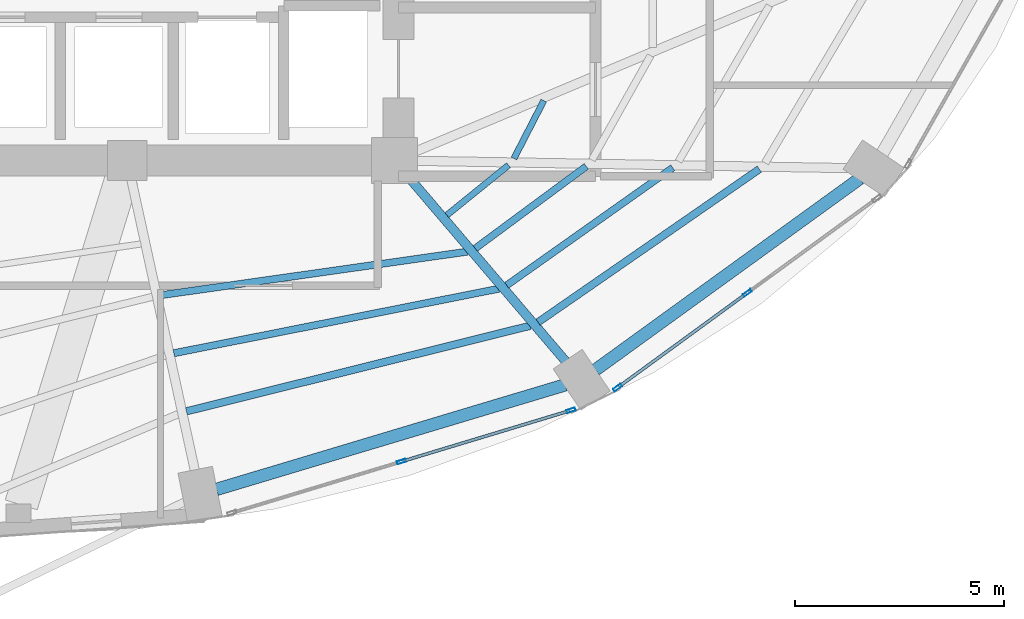
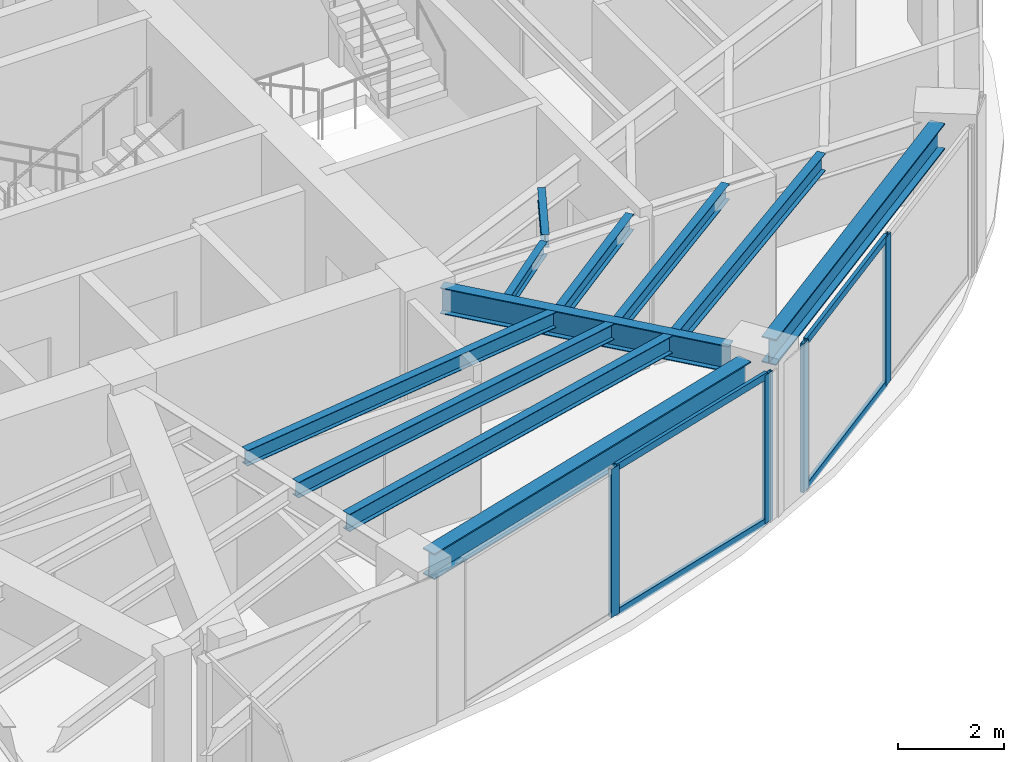
# One storey, part 10 of 24: 11 beams, 8 members, 2 elements without a shape of their own.
"""IFC4 building model written with IfcOpenShell, lengths in metres."""

import ifcopenshell
import ifcopenshell.guid

model = None  # the IFC model being written
_history = None  # IfcOwnerHistory: only IFC2X3 demands one
_inside = {}  # id of a spatial element -> (the spatial element, [elements in it])
_under = {}  # id of a project, library or spatial element -> (it, [spatial elements below it])
_declared = {}  # id of a project -> (the project, [libraries it declares])
_typed = {}  # id of a type object -> (the type object, [elements of that type])
_made_of = {}  # id of a material, layer set ... -> (it, [elements and type objects made of it])


def new_model(schema):
    """Start an empty IFC model of exactly this schema.

    Asked for "IFC4X3", IfcOpenShell would pick the latest addendum, in which some entities
    have other attributes; the version numbers below select the first issue.
    IFC2X3 requires an IfcOwnerHistory on every rooted entity: one is made here for all.
    """
    global model, _history
    if schema == "IFC4X3":
        model = ifcopenshell.file(schema_version=(4, 3, 0, 0))
    else:
        model = ifcopenshell.file(schema=schema)
    _inside.clear()
    _under.clear()
    _declared.clear()
    _typed.clear()
    _made_of.clear()
    _history = None
    if model.schema == "IFC2X3":
        org = make("IfcOrganization", Name="unknown")
        user = make(
            "IfcPersonAndOrganization",
            ThePerson=make("IfcPerson", FamilyName="unknown"),
            TheOrganization=org,
        )
        app = make(
            "IfcApplication",
            ApplicationDeveloper=org,
            Version="unknown",
            ApplicationFullName="unknown",
            ApplicationIdentifier="unknown",
        )
        _history = make(
            "IfcOwnerHistory",
            OwningUser=user,
            OwningApplication=app,
            ChangeAction="ADDED",
            CreationDate=0,
        )
    return model


def make(cls, **values):
    """One entity of the class cls with the attributes given. An attribute that is None is left unset."""
    return model.create_entity(
        cls, **{name: value for name, value in values.items() if value is not None}
    )


def rooted(cls, **values):
    """An entity with a GlobalId (a new one), such as an element, a storey or a relation."""
    return make(cls, GlobalId=ifcopenshell.guid.new(), OwnerHistory=_history, **values)


def si_unit(unit_type, name, prefix=None):
    """IfcSIUnit, for example si_unit("LENGTHUNIT", "METRE", prefix="MILLI")."""
    return make("IfcSIUnit", UnitType=unit_type, Prefix=prefix, Name=name)


def assignment(units):
    """IfcUnitAssignment: the units of a project."""
    return None if units is None else make("IfcUnitAssignment", Units=units)


def point(xyz):
    """IfcCartesianPoint."""
    return None if xyz is None else make("IfcCartesianPoint", Coordinates=xyz)


def direction(xyz):
    """IfcDirection."""
    return None if xyz is None else make("IfcDirection", DirectionRatios=xyz)


def frame(location, z_axis=None, x_axis=None):
    """IfcAxis2Placement3D, a coordinate frame: its origin and axes. An axis left out is left unset."""
    return make(
        "IfcAxis2Placement3D",
        Location=point(location),
        Axis=direction(z_axis),
        RefDirection=direction(x_axis),
    )


def frame_2d(location, x_axis=None):
    """IfcAxis2Placement2D, a coordinate frame in the plane: its origin and x axis."""
    return make(
        "IfcAxis2Placement2D", Location=point(location), RefDirection=direction(x_axis)
    )


def origin():
    """The frame at (0, 0, 0) with its axes left unset."""
    return frame((0.0, 0.0, 0.0))


def origin_2d():
    """The frame at (0, 0) in the plane with its x axis left unset."""
    return frame_2d((0.0, 0.0))


def place(relative_to, where):
    """IfcLocalPlacement: puts the frame where relative to a parent placement (None: the world)."""
    return make(
        "IfcLocalPlacement", PlacementRelTo=relative_to, RelativePlacement=where
    )


def context(
    kind, dimensions, precision=None, world=None, true_north=None, identifier=None
):
    """IfcGeometricRepresentationContext, for example the 3D "Model" context."""
    return make(
        "IfcGeometricRepresentationContext",
        ContextIdentifier=identifier,
        ContextType=kind,
        CoordinateSpaceDimension=dimensions,
        Precision=precision,
        WorldCoordinateSystem=world,
        TrueNorth=true_north,
    )


def subcontext(parent, identifier, kind, view, scale=None):
    """IfcGeometricRepresentationSubContext, for example "Body" below "Model"."""
    return make(
        "IfcGeometricRepresentationSubContext",
        ContextIdentifier=identifier,
        ContextType=kind,
        ParentContext=parent,
        TargetScale=scale,
        TargetView=view,
    )


def project(units=None, contexts=None):
    """IfcProject with its units and contexts."""
    return rooted(
        "IfcProject",
        Name="project",
        RepresentationContexts=contexts,
        UnitsInContext=assignment(units),
    )


def spatial(cls, under=None, at=None, **own):
    """A site, building, storey or space (cls), placed at a placement, below another one or the project."""
    s = rooted(cls, ObjectPlacement=at, **own)
    if under is not None:
        _under.setdefault(under.id(), (under, []))[1].append(s)
    return s


def profile(cls, at=None, kind="AREA", **sizes):
    """A parametric profile (cls). Its sizes go by their IFC names, for example OverallWidth=200.0."""
    return make(cls, ProfileType=kind, Position=at, **sizes)


def hollow_rectangle(**sizes):
    """IfcRectangleHollowProfileDef."""
    return profile("IfcRectangleHollowProfileDef", **sizes)


def i_section(**sizes):
    """IfcIShapeProfileDef."""
    return profile("IfcIShapeProfileDef", **sizes)


def extrude(swept, where, along, depth):
    """IfcExtrudedAreaSolid: the profile swept, set in the frame where, extruded along a direction by depth."""
    return make(
        "IfcExtrudedAreaSolid",
        SweptArea=swept,
        Position=where,
        ExtrudedDirection=direction(along),
        Depth=depth,
    )


def shape(context_of_items, identifier, shape_type, items):
    """IfcShapeRepresentation: the items that make up one representation, for example the "Body"."""
    return make(
        "IfcShapeRepresentation",
        ContextOfItems=context_of_items,
        RepresentationIdentifier=identifier,
        RepresentationType=shape_type,
        Items=items,
    )


def material(Name=None, Category=None):
    """IfcMaterial."""
    return make("IfcMaterial", Name=Name, Category=Category)


def layer(
    of_material, thickness, ventilated=None, Name=None, Category=None, Priority=None
):
    """IfcMaterialLayer: one layer of a wall or slab, of a material (None: an air gap)."""
    return make(
        "IfcMaterialLayer",
        Material=of_material,
        LayerThickness=thickness,
        IsVentilated=ventilated,
        Name=Name,
        Category=Category,
        Priority=Priority,
    )


def layer_set(layers, Name=None):
    """IfcMaterialLayerSet."""
    return make("IfcMaterialLayerSet", MaterialLayers=layers, LayerSetName=Name)


def material_profile(
    of_material, cross_section, Name=None, Category=None, Priority=None
):
    """IfcMaterialProfile: a cross section and its material."""
    return make(
        "IfcMaterialProfile",
        Name=Name,
        Material=of_material,
        Profile=cross_section,
        Priority=Priority,
        Category=Category,
    )


def profile_set(profiles, Name=None, composite=None):
    """IfcMaterialProfileSet."""
    return make(
        "IfcMaterialProfileSet",
        Name=Name,
        MaterialProfiles=profiles,
        CompositeProfile=composite,
    )


def made_of(thing, what):
    """Note that an element or type object is made of a material, layer set ...; save() writes the relation."""
    if what is not None:
        _made_of.setdefault(what.id(), (what, []))[1].append(thing)
    return thing


def type_object(cls, material=None, **own):
    """A type object (cls), such as IfcWallType, which elements share."""
    return made_of(rooted(cls, **own), material)


def element(
    cls,
    number,
    at=None,
    inside=None,
    cuts=None,
    type_object=None,
    material=None,
    context=None,
    identifier="Body",
    shape_type=None,
    held_by="IfcProductDefinitionShape",
    body=None,
    shapes=None,
    **own,
):
    """One element of the class cls, such as IfcWall. Its Tag is "e" and its number.

    at: its placement. inside: the storey or other place that contains it. cuts: it is an
    opening in that element (IfcRelVoidsElement). A single representation is given by context,
    identifier, shape_type and body (its items); several are given by shapes. held_by: the class
    of the entity that holds the representations. save() writes the other relations.
    """
    e = rooted(cls, Tag="e%d" % number, ObjectPlacement=at, **own)
    if body is not None:
        shapes = [shape(context, identifier, shape_type, body)]
    if shapes is not None:
        e.Representation = make(held_by, Representations=shapes)
    if inside is not None:
        _inside.setdefault(inside.id(), (inside, []))[1].append(e)
    if cuts is not None:
        rooted(
            "IfcRelVoidsElement", RelatingBuildingElement=cuts, RelatedOpeningElement=e
        )
    if type_object is not None:
        _typed.setdefault(type_object.id(), (type_object, []))[1].append(e)
    return made_of(e, material)


def aggregate(whole, parts):
    """IfcRelAggregates: a whole, such as a stair, and the parts it consists of."""
    return rooted("IfcRelAggregates", RelatingObject=whole, RelatedObjects=parts)


def save(model, path):
    """Write the relations noted so far, then the file.

    IfcRelAggregates (storeys below a building ...), IfcRelContainedInSpatialStructure (elements
    in a storey), IfcRelDefinesByType, IfcRelAssociatesMaterial and IfcRelDeclares: one each for
    every whole, place, type object, material and project.
    """
    for whole, parts in _under.values():
        aggregate(whole, parts)
    for where, things in _inside.values():
        rooted(
            "IfcRelContainedInSpatialStructure",
            RelatedElements=things,
            RelatingStructure=where,
        )
    for kind, things in _typed.values():
        rooted("IfcRelDefinesByType", RelatedObjects=things, RelatingType=kind)
    for what, things in _made_of.values():
        rooted("IfcRelAssociatesMaterial", RelatedObjects=things, RelatingMaterial=what)
    for by, libraries in _declared.values():
        rooted("IfcRelDeclares", RelatingContext=by, RelatedDefinitions=libraries)
    model.write(path)


model = new_model("IFC4")

# Units and contexts
model_context = context("Model", 3, precision=1e-05, world=origin(), true_north=direction((0.0, 1.0)))
body_context = subcontext(model_context, "Body", "Model", "MODEL_VIEW")
ifc_project = project(units=[si_unit("LENGTHUNIT", "METRE"), si_unit("AREAUNIT", "SQUARE_METRE"), si_unit("VOLUMEUNIT", "CUBIC_METRE"), si_unit("PLANEANGLEUNIT", "RADIAN"), si_unit("MASSUNIT", "GRAM", prefix="KILO")], contexts=[model_context])

# Site, building, storey
site_placement = place(None, origin())
site = spatial("IfcSite", under=ifc_project, at=site_placement, CompositionType="ELEMENT")
building_placement = place(site_placement, origin())
building = spatial("IfcBuilding", under=site, at=building_placement, Name="Lazwardi Medical Tower", CompositionType="ELEMENT")
storey_placement = place(building_placement, frame((0.0, 0.0, 103.632080078125)))
storey = spatial("IfcBuildingStorey", under=building, at=storey_placement, Name="L26", CompositionType="ELEMENT", Elevation=103.632080078125)

# Beams
ifc_material_1 = material(Name="Steel S355", Category="steel")
ifc_material_profile_1 = material_profile(ifc_material_1, i_section(OverallWidth=0.300048828125, OverallDepth=0.60009765625, WebThickness=0.015380859375, FlangeThickness=0.030029296875, at=origin_2d()), Name="HEB 600")
ifc_profile_set_1 = profile_set([ifc_material_profile_1], Name="Steel S355")
beam_type_1 = type_object("IfcBeamType", Name="BM-RB-Z2", PredefinedType="BEAM", material=ifc_profile_set_1)
beam_1_placement = place(storey_placement, frame((41.338134765625, 12.5205078125, 3.1279296875), z_axis=(0.957879438442, 0.287170648587, 0.0), x_axis=(-0.287170648587, 0.957879438442, 0.0)))
element("IfcBeam", 1, at=beam_1_placement, inside=storey, type_object=beam_type_1, Name="Ring beam RB-03 B01 L26", PredefinedType="BEAM", context=body_context, shape_type="SweptSolid", body=[
    extrude(i_section(OverallWidth=0.300048828125, OverallDepth=0.60009765625, WebThickness=0.015380859375, FlangeThickness=0.030029296875, at=origin_2d()), origin(), (0.0, 0.0, 1.0), 8.719970703125),
])
beam_2_placement = place(storey_placement, frame((50.415771484375, 15.3828125, 3.1279296875), z_axis=(0.810041907649, 0.586371987609, 0.0), x_axis=(-0.586371987609, 0.810041907649, 0.0)))
element("IfcBeam", 2, at=beam_2_placement, inside=storey, type_object=beam_type_1, Name="Ring beam RB-03 B02 L26", PredefinedType="BEAM", context=body_context, shape_type="SweptSolid", body=[
    extrude(i_section(OverallWidth=0.300048828125, OverallDepth=0.60009765625, WebThickness=0.015380859375, FlangeThickness=0.030029296875, at=origin_2d()), origin(), (0.0, 0.0, 1.0), 7.814208984375),
])
ifc_material_profile_2 = material_profile(ifc_material_1, i_section(OverallWidth=0.219970703125, OverallDepth=0.60009765625, WebThickness=0.011962890625, FlangeThickness=0.01904296875, at=origin_2d()), Name="IPE 600")
ifc_profile_set_2 = profile_set([ifc_material_profile_2], Name="Steel S355")
beam_type_2 = type_object("IfcBeamType", Name="BM-RG-W1", PredefinedType="BEAM", material=ifc_profile_set_2)
beam_3_placement = place(storey_placement, frame((49.707275390625, 15.583740234375, 3.1279296875), z_axis=(-0.648870567436, 0.760898801889, 0.0), x_axis=(-0.760898801889, -0.648870567436, 0.0)))
element("IfcBeam", 3, at=beam_3_placement, inside=storey, type_object=beam_type_2, Name="Radial girder RG-02 R02 L26", PredefinedType="BEAM", context=body_context, shape_type="SweptSolid", body=[
    extrude(i_section(OverallWidth=0.219970703125, OverallDepth=0.60009765625, WebThickness=0.011962890625, FlangeThickness=0.01904296875, at=origin_2d()), origin(), (0.0, 0.0, 1.0), 5.794677734375),
])
ifc_material_profile_3 = material_profile(ifc_material_1, i_section(OverallWidth=0.179931640625, OverallDepth=0.39990234375, WebThickness=0.008544921875, FlangeThickness=0.013427734375, at=origin_2d()), Name="IPE 400")
ifc_profile_set_3 = profile_set([ifc_material_profile_3], Name="Steel S355")
beam_type_3 = type_object("IfcBeamType", Name="BM-SJ-01", PredefinedType="JOIST", material=ifc_profile_set_3)
beam_4_placement = place(storey_placement, frame((40.618896484375, 14.390869140625, 3.22802734375), z_axis=(0.970400881943, 0.241499748081, 0.0), x_axis=(-0.241499748081, 0.970400881943, 0.0)))
element("IfcBeam", 4, at=beam_4_placement, inside=storey, type_object=beam_type_3, Name="Secondary joist SJ-01 R1 B01 L26", PredefinedType="JOIST", context=body_context, shape_type="SweptSolid", body=[
    extrude(i_section(OverallWidth=0.179931640625, OverallDepth=0.39990234375, WebThickness=0.008544921875, FlangeThickness=0.013427734375, at=origin_2d()), origin(), (0.0, 0.0, 1.0), 8.48583984375),
])
beam_5_placement = place(storey_placement, frame((49.04150390625, 16.525390625, 3.22802734375), z_axis=(0.822376339068, 0.568943896128, 0.0), x_axis=(-0.568943896128, 0.822376339068, 0.0)))
element("IfcBeam", 5, at=beam_5_placement, inside=storey, type_object=beam_type_3, Name="Secondary joist SJ-01 R1 B02 L26", PredefinedType="JOIST", context=body_context, shape_type="SweptSolid", body=[
    extrude(i_section(OverallWidth=0.179931640625, OverallDepth=0.39990234375, WebThickness=0.008544921875, FlangeThickness=0.013427734375, at=origin_2d()), origin(), (0.0, 0.0, 1.0), 6.44189453125),
])
ifc_material_profile_4 = material_profile(ifc_material_1, i_section(OverallWidth=0.169921875, OverallDepth=0.360107421875, WebThickness=0.008056640625, FlangeThickness=0.0126953125, at=origin_2d()), Name="IPE 360")
ifc_profile_set_4 = profile_set([ifc_material_profile_4], Name="Steel S355")
beam_type_4 = type_object("IfcBeamType", Name="BM-SJ-02", PredefinedType="JOIST", material=ifc_profile_set_4)
beam_6_placement = place(storey_placement, frame((40.315185546875, 15.7822265625, 3.247802734375), z_axis=(0.980878853282, 0.194619308352, 0.0), x_axis=(-0.194619308352, 0.980878853282, 0.0)))
element("IfcBeam", 6, at=beam_6_placement, inside=storey, type_object=beam_type_4, Name="Secondary joist SJ-02 R2 B01 L26", PredefinedType="JOIST", context=body_context, shape_type="SweptSolid", body=[
    extrude(i_section(OverallWidth=0.169921875, OverallDepth=0.360107421875, WebThickness=0.008056640625, FlangeThickness=0.0126953125, at=origin_2d()), origin(), (0.0, 0.0, 1.0), 7.93701171875),
])
beam_7_placement = place(storey_placement, frame((48.2890625, 17.408203125, 3.247802734375), z_axis=(0.816156371539, 0.577831097464, 0.0), x_axis=(-0.577831097464, 0.816156371539, 0.0)))
element("IfcBeam", 7, at=beam_7_placement, inside=storey, type_object=beam_type_4, Name="Secondary joist SJ-02 R2 B02 L26", PredefinedType="JOIST", context=body_context, shape_type="SweptSolid", body=[
    extrude(i_section(OverallWidth=0.169921875, OverallDepth=0.360107421875, WebThickness=0.008056640625, FlangeThickness=0.0126953125, at=origin_2d()), origin(), (0.0, 0.0, 1.0), 4.8740234375),
])
beam_8_placement = place(storey_placement, frame((40.011474609375, 17.1728515625, 3.247802734375), z_axis=(0.990067108571, 0.140595592128, 0.0), x_axis=(-0.140595592128, 0.990067108571, 0.0)))
element("IfcBeam", 8, at=beam_8_placement, inside=storey, type_object=beam_type_4, Name="Secondary joist SJ-02 R3 B01 L26", PredefinedType="JOIST", context=body_context, shape_type="SweptSolid", body=[
    extrude(i_section(OverallWidth=0.169921875, OverallDepth=0.360107421875, WebThickness=0.008056640625, FlangeThickness=0.0126953125, at=origin_2d()), origin(), (0.0, 0.0, 1.0), 7.409423828125),
])
beam_9_placement = place(storey_placement, frame((47.53564453125, 18.291748046875, 3.247802734375), z_axis=(0.804125525058, 0.594459536008, 0.0), x_axis=(-0.594459536008, 0.804125525058, 0.0)))
element("IfcBeam", 9, at=beam_9_placement, inside=storey, type_object=beam_type_4, Name="Secondary joist SJ-02 R3 B02 L26", PredefinedType="JOIST", context=body_context, shape_type="SweptSolid", body=[
    extrude(i_section(OverallWidth=0.169921875, OverallDepth=0.360107421875, WebThickness=0.008056640625, FlangeThickness=0.0126953125, at=origin_2d()), origin(), (0.0, 0.0, 1.0), 3.30810546875),
])
ifc_material_profile_5 = material_profile(ifc_material_1, i_section(OverallWidth=0.14990234375, OverallDepth=0.300048828125, WebThickness=0.007080078125, FlangeThickness=0.0107421875, at=origin_2d()), Name="IPE 300")
ifc_profile_set_5 = profile_set([ifc_material_profile_5], Name="Steel S355")
beam_type_5 = type_object("IfcBeamType", Name="BM-SJ-03", PredefinedType="JOIST", material=ifc_profile_set_5)
beam_10_placement = place(storey_placement, frame((46.85595703125, 19.089111328125, 3.27783203125), z_axis=(0.77695773322, 0.629552762515, 0.0), x_axis=(-0.629552762515, 0.77695773322, 0.0)))
element("IfcBeam", 10, at=beam_10_placement, inside=storey, type_object=beam_type_5, Name="Secondary joist SJ-03 R4 B02 L26", PredefinedType="JOIST", context=body_context, shape_type="SweptSolid", body=[
    extrude(i_section(OverallWidth=0.14990234375, OverallDepth=0.300048828125, WebThickness=0.007080078125, FlangeThickness=0.0107421875, at=origin_2d()), origin(), (0.0, 0.0, 1.0), 1.9013671875),
])
beam_11_placement = place(storey_placement, frame((48.462890625, 20.445556640625, 3.27783203125), z_axis=(0.457956589674, 0.888974556427, 0.0), x_axis=(-0.888974556427, 0.457956589674, 0.0)))
element("IfcBeam", 11, at=beam_11_placement, inside=storey, type_object=beam_type_5, Name="Secondary joist SJ-03 R4 B03 L26", PredefinedType="JOIST", context=body_context, shape_type="SweptSolid", body=[
    extrude(i_section(OverallWidth=0.14990234375, OverallDepth=0.300048828125, WebThickness=0.007080078125, FlangeThickness=0.0107421875, at=origin_2d()), origin(), (0.0, 0.0, 1.0), 1.558837890625),
])

# Curtain wall, members
ifc_material_2 = material(Name="Anodised bronze aluminium and solar control glazing", Category="aluminium")
ifc_layer = layer(ifc_material_2, 0.195068359375)
ifc_layer_set = layer_set([ifc_layer], Name="Anodised bronze aluminium and solar control glazing")
curtain_wall_type = type_object("IfcCurtainWallType", Name="CW-SYS-03", PredefinedType="NOTDEFINED", material=ifc_layer_set)
curtain_wall_1_placement = place(storey_placement, origin())
curtain_wall_1 = element("IfcCurtainWall", 12, at=curtain_wall_1_placement, inside=storey, type_object=curtain_wall_type, Name="L26 Unitised bronze curtain wall CW-03", PredefinedType="NOTDEFINED")
ifc_material_3 = material(Name="Anodised bronze aluminium", Category="aluminium")
ifc_material_profile_6 = material_profile(ifc_material_3, hollow_rectangle(XDim=0.074951171875, YDim=0.219970703125, WallThickness=0.00390625, at=origin_2d()), Name="ALU-MULLION 220x75x4")
ifc_profile_set_6 = profile_set([ifc_material_profile_6], Name="Anodised bronze aluminium")
member_type_1 = type_object("IfcMemberType", Name="CW-MUL-01", PredefinedType="MULLION", material=ifc_profile_set_6)
member_1_placement = place(storey_placement, frame((45.769287109375, 13.18701171875, 0.0), z_axis=(0.0, 0.0, 1.0), x_axis=(-0.28937381157, 0.957216170558, 0.0)))
member_1 = element("IfcMember", 13, at=member_1_placement, type_object=member_type_1, Name="CW-03 mullion 2", PredefinedType="MULLION", context=body_context, shape_type="SweptSolid", body=[
    extrude(hollow_rectangle(XDim=0.074951171875, YDim=0.219970703125, WallThickness=0.00390625, at=origin_2d()), origin(), (0.0, 0.0, 1.0), 3.427978515625),
])
member_2_placement = place(storey_placement, frame((49.828369140625, 14.4140625, 0.0), z_axis=(0.0, 0.0, 1.0), x_axis=(-0.28937381157, 0.957216170558, 0.0)))
member_2 = element("IfcMember", 14, at=member_2_placement, type_object=member_type_1, Name="CW-03 mullion 3", PredefinedType="MULLION", context=body_context, shape_type="SweptSolid", body=[
    extrude(hollow_rectangle(XDim=0.074951171875, YDim=0.219970703125, WallThickness=0.00390625, at=origin_2d()), origin(), (0.0, 0.0, 1.0), 3.427978515625),
])

curtain_wall_2_placement = place(storey_placement, origin())
curtain_wall_2 = element("IfcCurtainWall", 15, at=curtain_wall_2_placement, inside=storey, type_object=curtain_wall_type, Name="L26 Unitised bronze curtain wall CW-03", PredefinedType="NOTDEFINED")
member_3_placement = place(storey_placement, frame((50.947265625, 14.96044921875, 0.0), z_axis=(0.0, 0.0, 1.0), x_axis=(-0.589530882802, 0.807745837639, 0.0)))
member_3 = element("IfcMember", 16, at=member_3_placement, type_object=member_type_1, Name="CW-03 mullion 1", PredefinedType="MULLION", context=body_context, shape_type="SweptSolid", body=[
    extrude(hollow_rectangle(XDim=0.074951171875, YDim=0.219970703125, WallThickness=0.00390625, at=origin_2d()), origin(), (0.0, 0.0, 1.0), 3.427978515625),
])
member_4_placement = place(storey_placement, frame((54.051025390625, 17.225830078125, 0.0), z_axis=(0.0, 0.0, 1.0), x_axis=(-0.589530882802, 0.807745837639, 0.0)))
member_4 = element("IfcMember", 17, at=member_4_placement, type_object=member_type_1, Name="CW-03 mullion 2", PredefinedType="MULLION", context=body_context, shape_type="SweptSolid", body=[
    extrude(hollow_rectangle(XDim=0.074951171875, YDim=0.219970703125, WallThickness=0.00390625, at=origin_2d()), origin(), (0.0, 0.0, 1.0), 3.427978515625),
])

# Member
ifc_material_profile_7 = material_profile(ifc_material_3, hollow_rectangle(XDim=0.074951171875, YDim=0.159912109375, WallThickness=0.00390625, at=origin_2d()), Name="ALU-TRANSOM 160x75x4")
ifc_profile_set_7 = profile_set([ifc_material_profile_7], Name="Anodised bronze aluminium")
member_type_2 = type_object("IfcMemberType", Name="CW-TRN-01", PredefinedType="USERDEFINED", material=ifc_profile_set_7)
member_5_placement = place(storey_placement, frame((45.80517578125, 13.19775390625, 0.037353515625), z_axis=(0.957220865985, 0.289358279168, 0.0), x_axis=(-0.289358279168, 0.957220865985, 0.0)))
member_5 = element("IfcMember", 18, at=member_5_placement, type_object=member_type_2, Name="CW-03 transom 2.1", ObjectType="TRANSOM", PredefinedType="USERDEFINED", context=body_context, shape_type="SweptSolid", body=[
    extrude(hollow_rectangle(XDim=0.074951171875, YDim=0.159912109375, WallThickness=0.00390625, at=origin_2d()), origin(), (0.0, 0.0, 1.0), 4.16552734375),
])

member_6_placement = place(storey_placement, frame((45.80517578125, 13.19775390625, 3.390380859375), z_axis=(0.957220865985, 0.289358279168, 0.0), x_axis=(-0.289358279168, 0.957220865985, 0.0)))
member_6 = element("IfcMember", 19, at=member_6_placement, type_object=member_type_2, Name="CW-03 transom 2.2", ObjectType="TRANSOM", PredefinedType="USERDEFINED", context=body_context, shape_type="SweptSolid", body=[
    extrude(hollow_rectangle(XDim=0.074951171875, YDim=0.159912109375, WallThickness=0.00390625, at=origin_2d()), origin(), (0.0, 0.0, 1.0), 4.16552734375),
])

aggregate(curtain_wall_1, [member_1, member_2, member_5, member_6])

member_7_placement = place(storey_placement, frame((50.9775390625, 14.982421875, 0.037353515625), z_axis=(0.807731734271, 0.589550206049, 0.0), x_axis=(-0.589550206049, 0.807731734271, 0.0)))
member_7 = element("IfcMember", 20, at=member_7_placement, type_object=member_type_2, Name="CW-03 transom 1.1", ObjectType="TRANSOM", PredefinedType="USERDEFINED", context=body_context, shape_type="SweptSolid", body=[
    extrude(hollow_rectangle(XDim=0.074951171875, YDim=0.159912109375, WallThickness=0.00390625, at=origin_2d()), origin(), (0.0, 0.0, 1.0), 3.767578125),
])

member_8_placement = place(storey_placement, frame((50.9775390625, 14.982421875, 3.390380859375), z_axis=(0.807731734271, 0.589550206049, 0.0), x_axis=(-0.589550206049, 0.807731734271, 0.0)))
member_8 = element("IfcMember", 21, at=member_8_placement, type_object=member_type_2, Name="CW-03 transom 1.2", ObjectType="TRANSOM", PredefinedType="USERDEFINED", context=body_context, shape_type="SweptSolid", body=[
    extrude(hollow_rectangle(XDim=0.074951171875, YDim=0.159912109375, WallThickness=0.00390625, at=origin_2d()), origin(), (0.0, 0.0, 1.0), 3.767578125),
])

aggregate(curtain_wall_2, [member_3, member_4, member_7, member_8])

save(model, "model.ifc")
